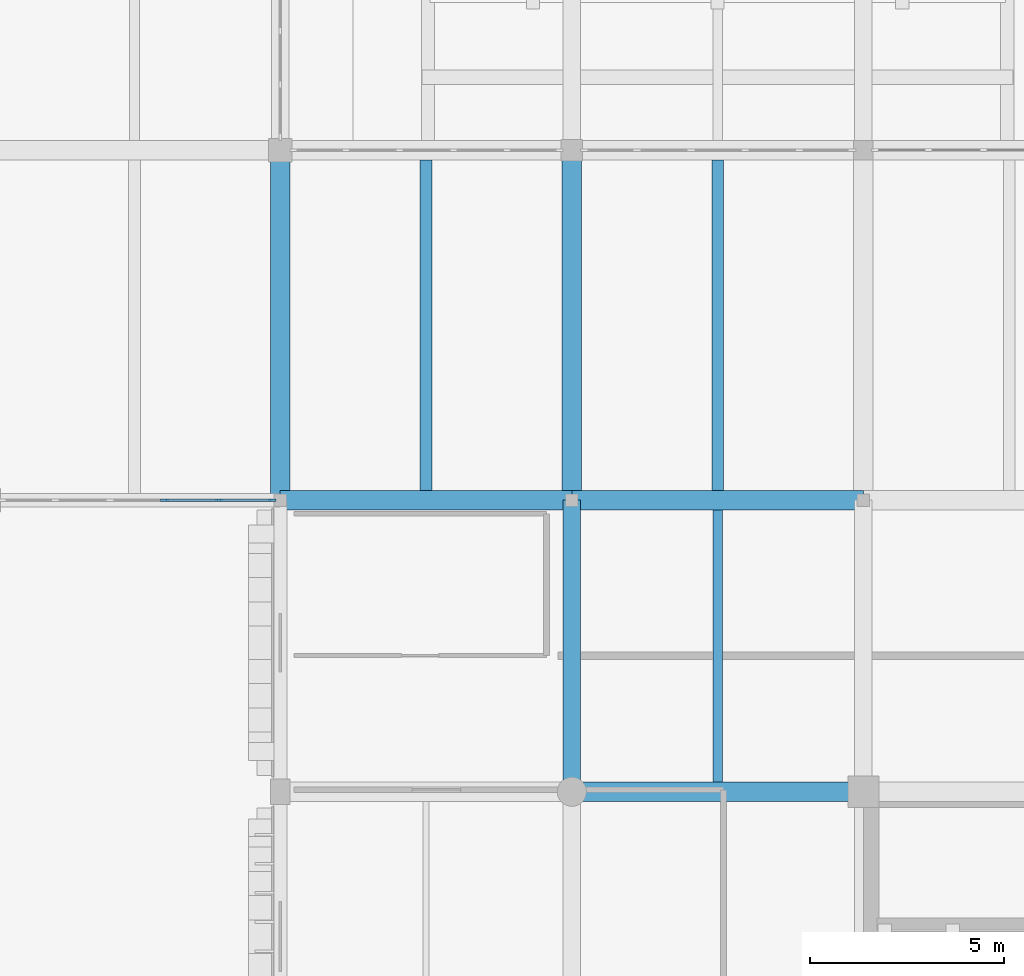
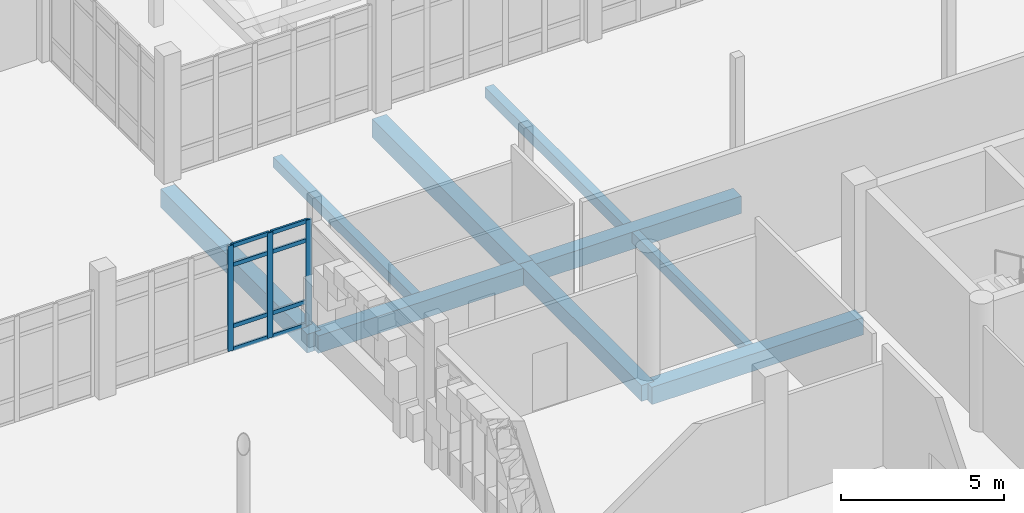
# One storey, part 33 of 125: 11 members, 9 beams, 1 element without a shape of its own.
"""IFC4 building model written with IfcOpenShell, lengths in metres."""

from ifc_helpers import new_model, si_unit, direction, frame, origin, origin_2d, place, context, subcontext, project, spatial, rectangle, extrude, material, layer, layer_set, material_profile, profile_set, type_object, element, aggregate, save


model = new_model("IFC4")

# Units and contexts
model_context = context("Model", 3, precision=1e-05, world=origin(), true_north=direction((0.0, 1.0)))
body_context = subcontext(model_context, "Body", "Model", "MODEL_VIEW")
ifc_project = project(units=[si_unit("LENGTHUNIT", "METRE"), si_unit("AREAUNIT", "SQUARE_METRE"), si_unit("VOLUMEUNIT", "CUBIC_METRE"), si_unit("PLANEANGLEUNIT", "RADIAN"), si_unit("MASSUNIT", "GRAM", prefix="KILO")], contexts=[model_context])

# Site, building, storey
site_placement = place(None, origin())
site = spatial("IfcSite", under=ifc_project, at=site_placement, CompositionType="ELEMENT")
building_placement = place(site_placement, origin())
building = spatial("IfcBuilding", under=site, at=building_placement, Name="Dalvernix Boulevard General Hospital", CompositionType="ELEMENT")
storey_placement = place(building_placement, origin())
storey = spatial("IfcBuildingStorey", under=building, at=storey_placement, Name="L00", CompositionType="ELEMENT", Elevation=0.0)

# Beams
ifc_material_1 = material(Name="Concrete C35/45", Category="concrete")
ifc_material_profile_1 = material_profile(ifc_material_1, rectangle(XDim=0.5, YDim=0.699951171875, at=origin_2d()), Name="RCB 500x700")
ifc_profile_set_1 = profile_set([ifc_material_profile_1], Name="Concrete C35/45")
beam_type_1 = type_object("IfcBeamType", Name="BM-B-01-I", PredefinedType="BEAM", material=ifc_profile_set_1)
for number, where, z_axis, x_axis, name in (
    (1, (112.5, 22.5, -0.7099609375), (0.0, 1.0, 0.0), (-1.0, 0.0, 0.0), "L00 N-S girder 16:D-E"),
    (2, (120.0, 22.5, -0.7099609375), (0.0, 1.0, 0.0), (-1.0, 0.0, 0.0), "L00 N-S girder 17:D-E"),
):
    element("IfcBeam", number, at=place(storey_placement, frame(where, z_axis=z_axis, x_axis=x_axis)), inside=storey, type_object=beam_type_1, Name=name, PredefinedType="BEAM", context=body_context, shape_type="SweptSolid", body=[
        extrude(rectangle(XDim=0.5, YDim=0.699951171875, at=origin_2d()), origin(), (0.0, 0.0, 1.0), 9.0),
    ])
ifc_material_profile_2 = material_profile(ifc_material_1, rectangle(XDim=0.5, YDim=0.64990234375, at=origin_2d()), Name="RCB 500x650")
ifc_profile_set_2 = profile_set([ifc_material_profile_2], Name="Concrete C35/45")
beam_type_2 = type_object("IfcBeamType", Name="BM-B-02-I", PredefinedType="BEAM", material=ifc_profile_set_2)
for number, where, z_axis, x_axis, name in (
    (3, (120.0, 15.0, -0.68505859375), (1.0, 0.0, 0.0), (0.0, 1.0, 0.0), "L00 E-W girder C:17-18"),
    (4, (112.5, 22.5, -0.68505859375), (1.0, 0.0, 0.0), (0.0, 1.0, 0.0), "L00 E-W girder D:16-17"),
    (5, (120.0, 22.5, -0.68505859375), (1.0, 0.0, 0.0), (0.0, 1.0, 0.0), "L00 E-W girder D:17-18"),
):
    element("IfcBeam", number, at=place(storey_placement, frame(where, z_axis=z_axis, x_axis=x_axis)), inside=storey, type_object=beam_type_2, Name=name, PredefinedType="BEAM", context=body_context, shape_type="SweptSolid", body=[
        extrude(rectangle(XDim=0.5, YDim=0.64990234375, at=origin_2d()), origin(), (0.0, 0.0, 1.0), 7.5),
    ])
ifc_material_profile_3 = material_profile(ifc_material_1, rectangle(XDim=0.449951171875, YDim=0.60009765625, at=origin_2d()), Name="RCB 450x600")
ifc_profile_set_3 = profile_set([ifc_material_profile_3], Name="Concrete C35/45")
beam_type_3 = type_object("IfcBeamType", Name="BM-B-04-I", PredefinedType="BEAM", material=ifc_profile_set_3)
beam_1_placement = place(storey_placement, frame((120.0, 15.0, -0.659912109375), z_axis=(0.0, 1.0, 0.0), x_axis=(-1.0, 0.0, 0.0)))
element("IfcBeam", 6, at=beam_1_placement, inside=storey, type_object=beam_type_3, Name="L00 N-S girder 17:C-D", PredefinedType="BEAM", context=body_context, shape_type="SweptSolid", body=[
    extrude(rectangle(XDim=0.449951171875, YDim=0.60009765625, at=origin_2d()), origin(), (0.0, 0.0, 1.0), 7.5),
])
ifc_material_profile_4 = material_profile(ifc_material_1, rectangle(XDim=0.300048828125, YDim=0.39990234375, at=origin_2d()), Name="RCB 300x400")
ifc_profile_set_4 = profile_set([ifc_material_profile_4], Name="Concrete C35/45")
beam_type_4 = type_object("IfcBeamType", Name="BM-JB-01", PredefinedType="JOIST", material=ifc_profile_set_4)
for number, where, z_axis, x_axis, name in (
    (7, (116.25, 22.75, -0.56005859375), (0.0, 1.0, 0.0), (-1.0, 0.0, 0.0), "L00 secondary floor beam 16-D"),
    (8, (123.75, 22.75, -0.56005859375), (0.0, 1.0, 0.0), (-1.0, 0.0, 0.0), "L00 secondary floor beam 17-D"),
):
    element("IfcBeam", number, at=place(storey_placement, frame(where, z_axis=z_axis, x_axis=x_axis)), inside=storey, type_object=beam_type_4, Name=name, PredefinedType="JOIST", context=body_context, shape_type="SweptSolid", body=[
        extrude(rectangle(XDim=0.300048828125, YDim=0.39990234375, at=origin_2d()), origin(), (0.0, 0.0, 1.0), 8.5),
    ])
ifc_material_profile_5 = material_profile(ifc_material_1, rectangle(XDim=0.25, YDim=0.39990234375, at=origin_2d()), Name="RCB 250x400")
ifc_profile_set_5 = profile_set([ifc_material_profile_5], Name="Concrete C35/45")
beam_type_5 = type_object("IfcBeamType", Name="BM-JB-02", PredefinedType="JOIST", material=ifc_profile_set_5)
beam_2_placement = place(storey_placement, frame((123.75, 15.25, -0.56005859375), z_axis=(0.0, 1.0, 0.0), x_axis=(-1.0, 0.0, 0.0)))
element("IfcBeam", 9, at=beam_2_placement, inside=storey, type_object=beam_type_5, Name="L00 secondary floor beam 17-C", PredefinedType="JOIST", context=body_context, shape_type="SweptSolid", body=[
    extrude(rectangle(XDim=0.25, YDim=0.39990234375, at=origin_2d()), origin(), (0.0, 0.0, 1.0), 7.0),
])

# Curtain wall, members
ifc_material_2 = material(Name="Thermally broken aluminium and solar-control glass curtain wall", Category="aluminium")
ifc_layer = layer(ifc_material_2, 0.199951171875)
ifc_layer_set = layer_set([ifc_layer], Name="Thermally broken aluminium and solar-control glass curtain wall (CW-CW-C-70x40)")
curtain_wall_type = type_object("IfcCurtainWallType", Name="CW-CW-C-70x40", PredefinedType="USERDEFINED", material=ifc_layer_set)
curtain_wall_placement = place(storey_placement, origin())
curtain_wall = element("IfcCurtainWall", 10, at=curtain_wall_placement, inside=storey, type_object=curtain_wall_type, Name="L00 curtain wall CW-C-70x40 14-3", ObjectType="GLAZED FACADE", PredefinedType="USERDEFINED")
ifc_material_3 = material(Name="Aluminium EN AW-6060", Category="aluminium")
ifc_material_profile_6 = material_profile(ifc_material_3, rectangle(XDim=0.070068359375, YDim=0.199951171875, at=origin_2d()), Name="ALU MULL 70x200")
ifc_profile_set_6 = profile_set([ifc_material_profile_6], Name="Aluminium EN AW-6060")
member_type_1 = type_object("IfcMemberType", Name="MEM-CW-M3", PredefinedType="MULLION", material=ifc_profile_set_6)
member_1_placement = place(storey_placement, frame((112.294921875, 22.5, 0.0), z_axis=(0.0, 0.0, 1.0), x_axis=(0.0, -1.0, 0.0)))
member_1 = element("IfcMember", 11, at=member_1_placement, type_object=member_type_1, Name="CW-C-70x40 mullion 1", PredefinedType="MULLION", context=body_context, shape_type="SweptSolid", body=[
    extrude(rectangle(XDim=0.070068359375, YDim=0.199951171875, at=origin_2d()), origin(), (0.0, 0.0, 1.0), 3.949951171875),
])
member_2_placement = place(storey_placement, frame((110.926025390625, 22.5, 0.0), z_axis=(0.0, 0.0, 1.0), x_axis=(0.0, -1.0, 0.0)))
member_2 = element("IfcMember", 12, at=member_2_placement, type_object=member_type_1, Name="CW-C-70x40 mullion 2", PredefinedType="MULLION", context=body_context, shape_type="SweptSolid", body=[
    extrude(rectangle(XDim=0.070068359375, YDim=0.199951171875, at=origin_2d()), origin(), (0.0, 0.0, 1.0), 3.949951171875),
])
member_3_placement = place(storey_placement, frame((109.52197265625, 22.5, 0.0), z_axis=(0.0, 0.0, 1.0), x_axis=(0.0, -1.0, 0.0)))
member_3 = element("IfcMember", 13, at=member_3_placement, type_object=member_type_1, Name="CW-C-70x40 mullion 3", PredefinedType="MULLION", context=body_context, shape_type="SweptSolid", body=[
    extrude(rectangle(XDim=0.070068359375, YDim=0.199951171875, at=origin_2d()), origin(), (0.0, 0.0, 1.0), 3.949951171875),
])
ifc_material_profile_7 = material_profile(ifc_material_3, rectangle(XDim=0.070068359375, YDim=0.14990234375, at=origin_2d()), Name="ALU TRAN 70x150")
ifc_profile_set_7 = profile_set([ifc_material_profile_7], Name="Aluminium EN AW-6060")
member_type_2 = type_object("IfcMemberType", Name="MEM-CW-T3", PredefinedType="USERDEFINED", material=ifc_profile_set_7)
member_4_placement = place(storey_placement, frame((112.260009765625, 22.5, 0.034912109375), z_axis=(-1.0, 0.0, 0.0), x_axis=(0.0, -1.0, 0.0)))
member_4 = element("IfcMember", 14, at=member_4_placement, type_object=member_type_2, Name="CW-C-70x40 transom 1.1", ObjectType="TRANSOM", PredefinedType="USERDEFINED", context=body_context, shape_type="SweptSolid", body=[
    extrude(rectangle(XDim=0.070068359375, YDim=0.14990234375, at=origin_2d()), origin(), (0.0, 0.0, 1.0), 1.299072265625),
])
member_5_placement = place(storey_placement, frame((112.260009765625, 22.5, 0.89990234375), z_axis=(-1.0, 0.0, 0.0), x_axis=(0.0, -1.0, 0.0)))
member_5 = element("IfcMember", 15, at=member_5_placement, type_object=member_type_2, Name="CW-C-70x40 transom 1.2", ObjectType="TRANSOM", PredefinedType="USERDEFINED", context=body_context, shape_type="SweptSolid", body=[
    extrude(rectangle(XDim=0.070068359375, YDim=0.14990234375, at=origin_2d()), origin(), (0.0, 0.0, 1.0), 1.299072265625),
])
member_6_placement = place(storey_placement, frame((112.260009765625, 22.5, 3.199951171875), z_axis=(-1.0, 0.0, 0.0), x_axis=(0.0, -1.0, 0.0)))
member_6 = element("IfcMember", 16, at=member_6_placement, type_object=member_type_2, Name="CW-C-70x40 transom 1.3", ObjectType="TRANSOM", PredefinedType="USERDEFINED", context=body_context, shape_type="SweptSolid", body=[
    extrude(rectangle(XDim=0.070068359375, YDim=0.14990234375, at=origin_2d()), origin(), (0.0, 0.0, 1.0), 1.299072265625),
])
member_7_placement = place(storey_placement, frame((112.260009765625, 22.5, 3.9150390625), z_axis=(-1.0, 0.0, 0.0), x_axis=(0.0, -1.0, 0.0)))
member_7 = element("IfcMember", 17, at=member_7_placement, type_object=member_type_2, Name="CW-C-70x40 transom 1.4", ObjectType="TRANSOM", PredefinedType="USERDEFINED", context=body_context, shape_type="SweptSolid", body=[
    extrude(rectangle(XDim=0.070068359375, YDim=0.14990234375, at=origin_2d()), origin(), (0.0, 0.0, 1.0), 1.299072265625),
])
member_8_placement = place(storey_placement, frame((110.89111328125, 22.5, 0.034912109375), z_axis=(-1.0, 0.0, 0.0), x_axis=(0.0, -1.0, 0.0)))
member_8 = element("IfcMember", 18, at=member_8_placement, type_object=member_type_2, Name="CW-C-70x40 transom 2.1", ObjectType="TRANSOM", PredefinedType="USERDEFINED", context=body_context, shape_type="SweptSolid", body=[
    extrude(rectangle(XDim=0.070068359375, YDim=0.14990234375, at=origin_2d()), origin(), (0.0, 0.0, 1.0), 1.334228515625),
])
member_9_placement = place(storey_placement, frame((110.89111328125, 22.5, 0.89990234375), z_axis=(-1.0, 0.0, 0.0), x_axis=(0.0, -1.0, 0.0)))
member_9 = element("IfcMember", 19, at=member_9_placement, type_object=member_type_2, Name="CW-C-70x40 transom 2.2", ObjectType="TRANSOM", PredefinedType="USERDEFINED", context=body_context, shape_type="SweptSolid", body=[
    extrude(rectangle(XDim=0.070068359375, YDim=0.14990234375, at=origin_2d()), origin(), (0.0, 0.0, 1.0), 1.334228515625),
])
member_10_placement = place(storey_placement, frame((110.89111328125, 22.5, 3.199951171875), z_axis=(-1.0, 0.0, 0.0), x_axis=(0.0, -1.0, 0.0)))
member_10 = element("IfcMember", 20, at=member_10_placement, type_object=member_type_2, Name="CW-C-70x40 transom 2.3", ObjectType="TRANSOM", PredefinedType="USERDEFINED", context=body_context, shape_type="SweptSolid", body=[
    extrude(rectangle(XDim=0.070068359375, YDim=0.14990234375, at=origin_2d()), origin(), (0.0, 0.0, 1.0), 1.334228515625),
])
member_11_placement = place(storey_placement, frame((110.89111328125, 22.5, 3.9150390625), z_axis=(-1.0, 0.0, 0.0), x_axis=(0.0, -1.0, 0.0)))
member_11 = element("IfcMember", 21, at=member_11_placement, type_object=member_type_2, Name="CW-C-70x40 transom 2.4", ObjectType="TRANSOM", PredefinedType="USERDEFINED", context=body_context, shape_type="SweptSolid", body=[
    extrude(rectangle(XDim=0.070068359375, YDim=0.14990234375, at=origin_2d()), origin(), (0.0, 0.0, 1.0), 1.334228515625),
])
aggregate(curtain_wall, [member_1, member_2, member_3, member_4, member_5, member_6, member_7, member_8, member_9, member_10, member_11])

save(model, "model.ifc")
